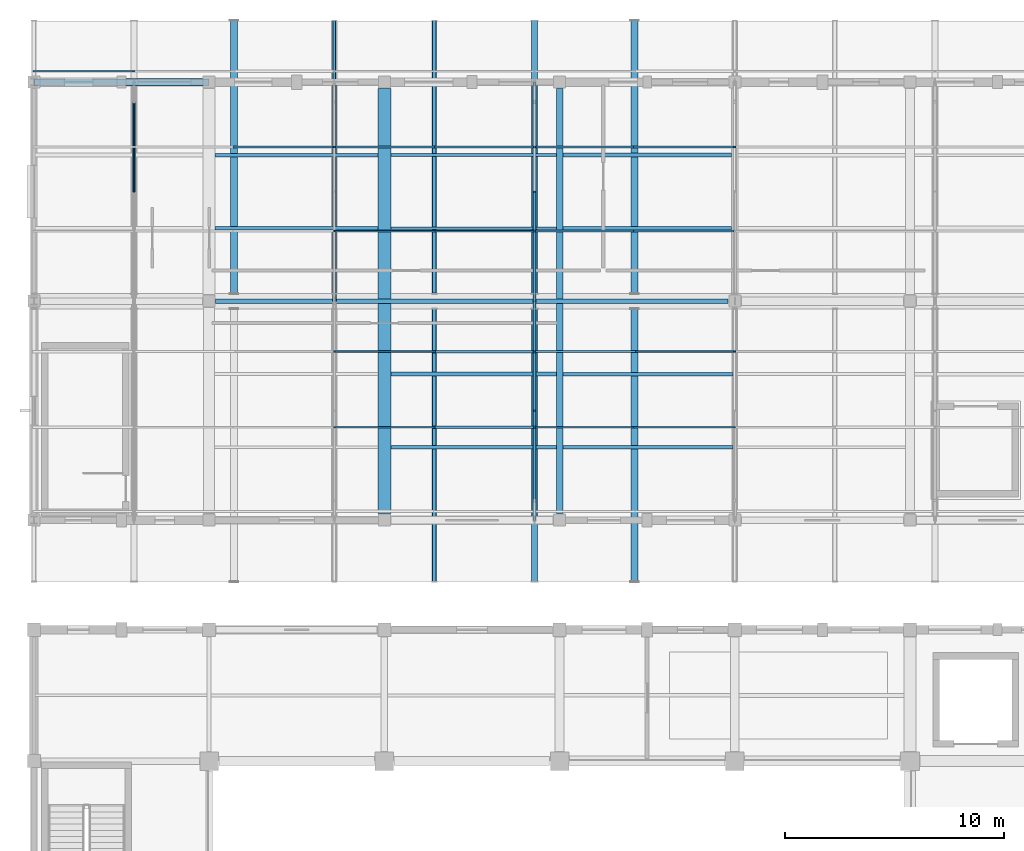
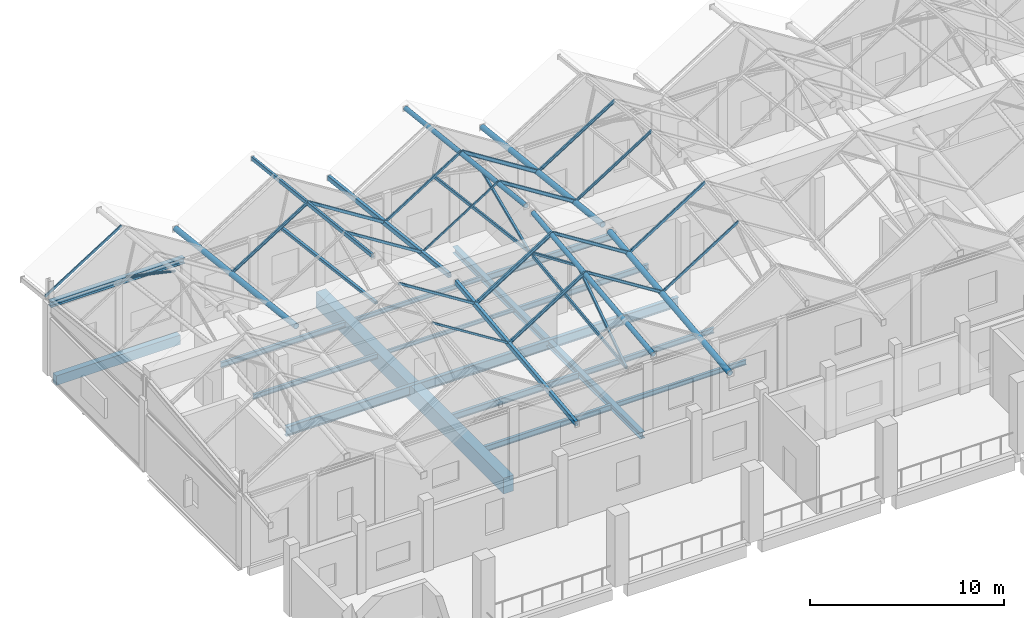
# One storey, part 64 of 183: 25 members, 23 beams.
"""IFC4 building model written with IfcOpenShell, lengths in metres."""

from ifc_helpers import new_model, si_unit, direction, frame, origin, origin_2d, place, context, subcontext, project, spatial, rectangle, hollow_rectangle, hollow_circle, i_section, extrude, material, material_profile, profile_set, type_object, element, save


model = new_model("IFC4")

# Units and contexts
model_context = context("Model", 3, precision=1e-05, world=origin(), true_north=direction((0.0, 1.0)))
body_context = subcontext(model_context, "Body", "Model", "MODEL_VIEW")
ifc_project = project(units=[si_unit("LENGTHUNIT", "METRE"), si_unit("AREAUNIT", "SQUARE_METRE"), si_unit("VOLUMEUNIT", "CUBIC_METRE"), si_unit("PLANEANGLEUNIT", "RADIAN"), si_unit("MASSUNIT", "GRAM", prefix="KILO")], contexts=[model_context])

# Site, building, storey
site_placement = place(None, origin())
site = spatial("IfcSite", under=ifc_project, at=site_placement, CompositionType="ELEMENT")
building_placement = place(site_placement, origin())
building = spatial("IfcBuilding", under=site, at=building_placement, Name="Luwemba Playhouse", CompositionType="ELEMENT")
storey_placement = place(building_placement, frame((0.0, 0.0, 4.800048828125)))
storey = spatial("IfcBuildingStorey", under=building, at=storey_placement, Name="L01", CompositionType="ELEMENT", Elevation=4.800048828125)

# Beams
ifc_material_1 = material(Name="Concrete C40/50", Category="concrete")
ifc_material_profile_1 = material_profile(ifc_material_1, rectangle(XDim=0.60009765625, YDim=1.0, at=origin_2d()))
ifc_profile_set_1 = profile_set([ifc_material_profile_1], Name="Concrete C40/50")
beam_type_1 = type_object("IfcBeamType", Name="BM-RB09", PredefinedType="BEAM", material=ifc_profile_set_1)
beam_1_placement = place(storey_placement, frame((20.0, 95.300048828125, -0.75), z_axis=(0.0, 1.0, 0.0), x_axis=(-1.0, 0.0, 0.0)))
element("IfcBeam", 1, at=beam_1_placement, inside=storey, type_object=beam_type_1, Name="L01 transverse girder 0590", PredefinedType="BEAM", context=body_context, shape_type="SweptSolid", body=[
    extrude(rectangle(XDim=0.60009765625, YDim=1.0, at=origin_2d()), origin(), (0.0, 0.0, 1.0), 19.39990234375),
])
ifc_material_2 = material(Name="Steel S355", Category="steel")
ifc_material_profile_2 = material_profile(ifc_material_2, hollow_rectangle(XDim=0.14990234375, YDim=0.25, WallThickness=0.010009765625, InnerFilletRadius=0.014892578125, OuterFilletRadius=0.02490234375, at=origin_2d()))
ifc_profile_set_2 = profile_set([ifc_material_profile_2], Name="Steel S355")
beam_type_2 = type_object("IfcBeamType", Name="BM-RTG1", PredefinedType="USERDEFINED", material=ifc_profile_set_2)
beam_2_placement = place(storey_placement, frame((17.71435546875, 105.35009765625, 8.379638671875), z_axis=(0.0, 0.993767931543, -0.111468821814), x_axis=(-1.0, 0.0, 0.0)))
element("IfcBeam", 2, at=beam_2_placement, inside=storey, type_object=beam_type_2, Name="ROOF TRUSS ridge girder 0372", ObjectType="ROOF TRUSS", PredefinedType="USERDEFINED", context=body_context, shape_type="SweptSolid", body=[
    extrude(hollow_rectangle(XDim=0.14990234375, YDim=0.25, WallThickness=0.010009765625, InnerFilletRadius=0.014892578125, OuterFilletRadius=0.02490234375, at=origin_2d()), origin(), (0.0, 0.0, 1.0), 12.528076171875),
])
ifc_material_profile_3 = material_profile(ifc_material_2, hollow_rectangle(XDim=0.199951171875, YDim=0.300048828125, WallThickness=0.012451171875, InnerFilletRadius=0.018798828125, OuterFilletRadius=0.03125, at=origin_2d()))
ifc_profile_set_3 = profile_set([ifc_material_profile_3], Name="Steel S355")
beam_type_3 = type_object("IfcBeamType", Name="BM-RTG2", PredefinedType="USERDEFINED", material=ifc_profile_set_3)
for number, where, z_axis, x_axis, name in (
    (3, (22.28564453125, 92.199951171875, 4.162109375), (0.0, 0.993767931543, 0.111468821814), (-1.0, 0.0, 0.0), "ROOF TRUSS valley girder 0373"),
    (4, (22.28564453125, 105.35009765625, 5.55859375), (0.0, 0.993767931543, -0.111468821814), (-1.0, 0.0, 0.0), "ROOF TRUSS valley girder 0374"),
):
    element("IfcBeam", number, at=place(storey_placement, frame(where, z_axis=z_axis, x_axis=x_axis)), inside=storey, type_object=beam_type_3, Name=name, ObjectType="ROOF TRUSS", PredefinedType="USERDEFINED", context=body_context, shape_type="SweptSolid", body=[
        extrude(hollow_rectangle(XDim=0.199951171875, YDim=0.300048828125, WallThickness=0.012451171875, InnerFilletRadius=0.018798828125, OuterFilletRadius=0.03125, at=origin_2d()), origin(), (0.0, 0.0, 1.0), 12.528076171875),
    ])
ifc_material_profile_4 = material_profile(ifc_material_2, hollow_circle(Radius=0.136474609375, WallThickness=0.012451171875, at=origin_2d()))
ifc_profile_set_4 = profile_set([ifc_material_profile_4], Name="Steel S355")
beam_type_4 = type_object("IfcBeamType", Name="BM-RTG3", PredefinedType="USERDEFINED", material=ifc_profile_set_4)
for number, where, z_axis, x_axis, name in (
    (5, (26.857177734375, 92.199951171875, 6.932861328125), (0.0, 0.993767931543, 0.111468821814), (-1.0, 0.0, 0.0), "ROOF TRUSS ridge girder 0375"),
    (6, (26.857177734375, 105.35009765625, 8.329345703125), (0.0, 0.993767931543, -0.111468821814), (-1.0, 0.0, 0.0), "ROOF TRUSS ridge girder 0376"),
):
    element("IfcBeam", number, at=place(storey_placement, frame(where, z_axis=z_axis, x_axis=x_axis)), inside=storey, type_object=beam_type_4, Name=name, ObjectType="ROOF TRUSS", PredefinedType="USERDEFINED", context=body_context, shape_type="SweptSolid", body=[
        extrude(hollow_circle(Radius=0.136474609375, WallThickness=0.012451171875, at=origin_2d()), origin(), (0.0, 0.0, 1.0), 12.528076171875),
    ])
ifc_material_profile_5 = material_profile(ifc_material_2, hollow_circle(Radius=0.161865234375, WallThickness=0.01611328125, at=origin_2d()))
ifc_profile_set_5 = profile_set([ifc_material_profile_5], Name="Steel S355")
beam_type_5 = type_object("IfcBeamType", Name="BM-RTG4", PredefinedType="USERDEFINED", material=ifc_profile_set_5)
for number, where, z_axis, x_axis, name in (
    (7, (13.142822265625, 105.35009765625, 5.546875), (0.0, 0.993767931543, -0.111468821814), (-1.0, 0.0, 0.0), "ROOF TRUSS valley girder 0370"),
    (8, (31.4287109375, 92.199951171875, 4.150146484375), (0.0, 0.993765772644, 0.111488067169), (-1.0, 0.0, 0.0), "ROOF TRUSS valley girder 0377"),
    (9, (31.4287109375, 105.35009765625, 5.546875), (0.0, 0.993765772644, -0.111488067169), (-1.0, 0.0, 0.0), "ROOF TRUSS valley girder 0378"),
):
    element("IfcBeam", number, at=place(storey_placement, frame(where, z_axis=z_axis, x_axis=x_axis)), inside=storey, type_object=beam_type_5, Name=name, ObjectType="ROOF TRUSS", PredefinedType="USERDEFINED", context=body_context, shape_type="SweptSolid", body=[
        extrude(hollow_circle(Radius=0.161865234375, WallThickness=0.01611328125, at=origin_2d()), origin(), (0.0, 0.0, 1.0), 12.528076171875),
    ])
ifc_material_profile_6 = material_profile(ifc_material_2, i_section(OverallWidth=0.219970703125, OverallDepth=0.60009765625, WebThickness=0.011962890625, FlangeThickness=0.01904296875, FilletRadius=0.02392578125, at=origin_2d()))
ifc_profile_set_6 = profile_set([ifc_material_profile_6], Name="Steel S355")
beam_type_6 = type_object("IfcBeamType", Name="BM-SB08", PredefinedType="BEAM", material=ifc_profile_set_6)
beam_3_placement = place(storey_placement, frame((12.300048828125, 105.0, -0.550048828125), z_axis=(1.0, 0.0, 0.0), x_axis=(0.0, 1.0, 0.0)))
element("IfcBeam", 10, at=beam_3_placement, inside=storey, type_object=beam_type_6, Name="L01 grid girder 0573", PredefinedType="BEAM", context=body_context, shape_type="SweptSolid", body=[
    extrude(i_section(OverallWidth=0.219970703125, OverallDepth=0.60009765625, WebThickness=0.011962890625, FlangeThickness=0.01904296875, FilletRadius=0.02392578125, at=origin_2d()), origin(), (0.0, 0.0, 1.0), 23.39990234375),
])
ifc_material_profile_7 = material_profile(ifc_material_2, i_section(OverallWidth=0.300048828125, OverallDepth=0.360107421875, WebThickness=0.012451171875, FlangeThickness=0.0224609375, FilletRadius=0.027099609375, at=origin_2d()))
ifc_profile_set_7 = profile_set([ifc_material_profile_7], Name="Steel S355")
beam_type_7 = type_object("IfcBeamType", Name="BM-SB09", PredefinedType="BEAM", material=ifc_profile_set_7)
beam_4_placement = place(storey_placement, frame((4.0, 115.0, 4.320068359375), z_axis=(1.0, 0.0, 0.0), x_axis=(0.0, 1.0, 0.0)))
element("IfcBeam", 11, at=beam_4_placement, inside=storey, type_object=beam_type_7, Name="RF-V6W eave ring beam 0350", PredefinedType="BEAM", context=body_context, shape_type="SweptSolid", body=[
    extrude(i_section(OverallWidth=0.300048828125, OverallDepth=0.360107421875, WebThickness=0.012451171875, FlangeThickness=0.0224609375, FilletRadius=0.027099609375, at=origin_2d()), origin(), (0.0, 0.0, 1.0), 8.0),
])
ifc_material_profile_8 = material_profile(ifc_material_2, i_section(OverallWidth=0.300048828125, OverallDepth=0.39990234375, WebThickness=0.013427734375, FlangeThickness=0.02392578125, FilletRadius=0.027099609375, at=origin_2d()))
ifc_profile_set_8 = profile_set([ifc_material_profile_8], Name="Steel S355")
beam_type_8 = type_object("IfcBeamType", Name="BM-SB10", PredefinedType="BEAM", material=ifc_profile_set_8)
beam_5_placement = place(storey_placement, frame((28.0, 95.300048828125, -0.449951171875), z_axis=(0.0, 1.0, 0.0), x_axis=(-1.0, 0.0, 0.0)))
element("IfcBeam", 12, at=beam_5_placement, inside=storey, type_object=beam_type_8, Name="L01 transverse girder 0591", PredefinedType="BEAM", context=body_context, shape_type="SweptSolid", body=[
    extrude(i_section(OverallWidth=0.300048828125, OverallDepth=0.39990234375, WebThickness=0.013427734375, FlangeThickness=0.02392578125, FilletRadius=0.027099609375, at=origin_2d()), origin(), (0.0, 0.0, 1.0), 19.39990234375),
])
ifc_material_profile_9 = material_profile(ifc_material_2, i_section(OverallWidth=0.1201171875, OverallDepth=0.239990234375, WebThickness=0.006103515625, FlangeThickness=0.009765625, FilletRadius=0.014892578125, at=origin_2d()))
ifc_profile_set_9 = profile_set([ifc_material_profile_9], Name="Steel S355")
beam_type_9 = type_object("IfcBeamType", Name="BM-SJ03", PredefinedType="JOIST", material=ifc_profile_set_9)
beam_6_placement = place(storey_placement, frame((20.2958984375, 108.333251953125, -0.3701171875), z_axis=(1.0, 0.0, 0.0), x_axis=(0.0, 1.0, 0.0)))
element("IfcBeam", 13, at=beam_6_placement, inside=storey, type_object=beam_type_9, Name="L01 composite floor joist 0346", PredefinedType="JOIST", context=body_context, shape_type="SweptSolid", body=[
    extrude(i_section(OverallWidth=0.1201171875, OverallDepth=0.239990234375, WebThickness=0.006103515625, FlangeThickness=0.009765625, FilletRadius=0.014892578125, at=origin_2d()), origin(), (0.0, 0.0, 1.0), 7.55810546875),
])
ifc_material_profile_10 = material_profile(ifc_material_2, i_section(OverallWidth=0.135009765625, OverallDepth=0.27001953125, WebThickness=0.006591796875, FlangeThickness=0.01025390625, FilletRadius=0.014892578125, at=origin_2d()))
ifc_profile_set_10 = profile_set([ifc_material_profile_10], Name="Steel S355")
beam_type_10 = type_object("IfcBeamType", Name="BM-SJ04", PredefinedType="JOIST", material=ifc_profile_set_10)
beam_7_placement = place(storey_placement, frame((20.2958984375, 111.666748046875, -0.385009765625), z_axis=(1.0, 0.0, 0.0), x_axis=(0.0, 1.0, 0.0)))
element("IfcBeam", 14, at=beam_7_placement, inside=storey, type_object=beam_type_10, Name="L01 composite floor joist 0347", PredefinedType="JOIST", context=body_context, shape_type="SweptSolid", body=[
    extrude(i_section(OverallWidth=0.135009765625, OverallDepth=0.27001953125, WebThickness=0.006591796875, FlangeThickness=0.01025390625, FilletRadius=0.014892578125, at=origin_2d()), origin(), (0.0, 0.0, 1.0), 7.55810546875),
])
ifc_material_profile_11 = material_profile(ifc_material_2, i_section(OverallWidth=0.14990234375, OverallDepth=0.300048828125, WebThickness=0.007080078125, FlangeThickness=0.0107421875, FilletRadius=0.014892578125, at=origin_2d()))
ifc_profile_set_11 = profile_set([ifc_material_profile_11], Name="Steel S355")
beam_type_11 = type_object("IfcBeamType", Name="BM-SJ05", PredefinedType="JOIST", material=ifc_profile_set_11)
beam_8_placement = place(storey_placement, frame((12.27099609375, 108.333251953125, -0.400146484375), z_axis=(1.0, 0.0, 0.0), x_axis=(0.0, 1.0, 0.0)))
element("IfcBeam", 15, at=beam_8_placement, inside=storey, type_object=beam_type_11, Name="L01 composite floor joist 0342", PredefinedType="JOIST", context=body_context, shape_type="SweptSolid", body=[
    extrude(i_section(OverallWidth=0.14990234375, OverallDepth=0.300048828125, WebThickness=0.007080078125, FlangeThickness=0.0107421875, FilletRadius=0.014892578125, at=origin_2d()), origin(), (0.0, 0.0, 1.0), 7.43310546875),
])
beam_9_placement = place(storey_placement, frame((28.14599609375, 98.333251953125, -0.400146484375), z_axis=(1.0, 0.0, 0.0), x_axis=(0.0, 1.0, 0.0)))
element("IfcBeam", 16, at=beam_9_placement, inside=storey, type_object=beam_type_11, Name="L01 composite floor joist 0348", PredefinedType="JOIST", context=body_context, shape_type="SweptSolid", body=[
    extrude(i_section(OverallWidth=0.14990234375, OverallDepth=0.300048828125, WebThickness=0.007080078125, FlangeThickness=0.0107421875, FilletRadius=0.014892578125, at=origin_2d()), origin(), (0.0, 0.0, 1.0), 7.762939453125),
])
ifc_material_profile_12 = material_profile(ifc_material_2, i_section(OverallWidth=0.159912109375, OverallDepth=0.330078125, WebThickness=0.007568359375, FlangeThickness=0.011474609375, FilletRadius=0.01806640625, at=origin_2d()))
ifc_profile_set_12 = profile_set([ifc_material_profile_12], Name="Steel S355")
beam_type_12 = type_object("IfcBeamType", Name="BM-SJ06", PredefinedType="JOIST", material=ifc_profile_set_12)
beam_10_placement = place(storey_placement, frame((12.27099609375, 111.666748046875, -0.4150390625), z_axis=(1.0, 0.0, 0.0), x_axis=(0.0, 1.0, 0.0)))
element("IfcBeam", 17, at=beam_10_placement, inside=storey, type_object=beam_type_12, Name="L01 composite floor joist 0343", PredefinedType="JOIST", context=body_context, shape_type="SweptSolid", body=[
    extrude(i_section(OverallWidth=0.159912109375, OverallDepth=0.330078125, WebThickness=0.007568359375, FlangeThickness=0.011474609375, FilletRadius=0.01806640625, at=origin_2d()), origin(), (0.0, 0.0, 1.0), 7.43310546875),
])
beam_11_placement = place(storey_placement, frame((28.14599609375, 101.666748046875, -0.4150390625), z_axis=(1.0, 0.0, 0.0), x_axis=(0.0, 1.0, 0.0)))
element("IfcBeam", 18, at=beam_11_placement, inside=storey, type_object=beam_type_12, Name="L01 composite floor joist 0349", PredefinedType="JOIST", context=body_context, shape_type="SweptSolid", body=[
    extrude(i_section(OverallWidth=0.159912109375, OverallDepth=0.330078125, WebThickness=0.007568359375, FlangeThickness=0.011474609375, FilletRadius=0.01806640625, at=origin_2d()), origin(), (0.0, 0.0, 1.0), 7.762939453125),
])
ifc_material_profile_13 = material_profile(ifc_material_2, i_section(OverallWidth=0.169921875, OverallDepth=0.360107421875, WebThickness=0.008056640625, FlangeThickness=0.0126953125, FilletRadius=0.01806640625, at=origin_2d()))
ifc_profile_set_13 = profile_set([ifc_material_profile_13], Name="Steel S355")
beam_type_13 = type_object("IfcBeamType", Name="BM-SJ07", PredefinedType="JOIST", material=ifc_profile_set_13)
beam_12_placement = place(storey_placement, frame((20.2958984375, 98.333251953125, -0.429931640625), z_axis=(1.0, 0.0, 0.0), x_axis=(0.0, 1.0, 0.0)))
element("IfcBeam", 19, at=beam_12_placement, inside=storey, type_object=beam_type_13, Name="L01 composite floor joist 0344", PredefinedType="JOIST", context=body_context, shape_type="SweptSolid", body=[
    extrude(i_section(OverallWidth=0.169921875, OverallDepth=0.360107421875, WebThickness=0.008056640625, FlangeThickness=0.0126953125, FilletRadius=0.01806640625, at=origin_2d()), origin(), (0.0, 0.0, 1.0), 7.55810546875),
])
beam_13_placement = place(storey_placement, frame((28.14599609375, 108.333251953125, -0.429931640625), z_axis=(1.0, 0.0, 0.0), x_axis=(0.0, 1.0, 0.0)))
element("IfcBeam", 20, at=beam_13_placement, inside=storey, type_object=beam_type_13, Name="L01 composite floor joist 0350", PredefinedType="JOIST", context=body_context, shape_type="SweptSolid", body=[
    extrude(i_section(OverallWidth=0.169921875, OverallDepth=0.360107421875, WebThickness=0.008056640625, FlangeThickness=0.0126953125, FilletRadius=0.01806640625, at=origin_2d()), origin(), (0.0, 0.0, 1.0), 7.7080078125),
])
ifc_material_profile_14 = material_profile(ifc_material_2, i_section(OverallWidth=0.179931640625, OverallDepth=0.39990234375, WebThickness=0.008544921875, FlangeThickness=0.013427734375, FilletRadius=0.02099609375, at=origin_2d()))
ifc_profile_set_14 = profile_set([ifc_material_profile_14], Name="Steel S355")
beam_type_14 = type_object("IfcBeamType", Name="BM-SJ08", PredefinedType="JOIST", material=ifc_profile_set_14)
beam_14_placement = place(storey_placement, frame((20.2958984375, 101.666748046875, -0.449951171875), z_axis=(1.0, 0.0, 0.0), x_axis=(0.0, 1.0, 0.0)))
element("IfcBeam", 21, at=beam_14_placement, inside=storey, type_object=beam_type_14, Name="L01 composite floor joist 0345", PredefinedType="JOIST", context=body_context, shape_type="SweptSolid", body=[
    extrude(i_section(OverallWidth=0.179931640625, OverallDepth=0.39990234375, WebThickness=0.008544921875, FlangeThickness=0.013427734375, FilletRadius=0.02099609375, at=origin_2d()), origin(), (0.0, 0.0, 1.0), 7.55810546875),
])
beam_15_placement = place(storey_placement, frame((28.14599609375, 111.666748046875, -0.449951171875), z_axis=(1.0, 0.0, 0.0), x_axis=(0.0, 1.0, 0.0)))
element("IfcBeam", 22, at=beam_15_placement, inside=storey, type_object=beam_type_14, Name="L01 composite floor joist 0351", PredefinedType="JOIST", context=body_context, shape_type="SweptSolid", body=[
    extrude(i_section(OverallWidth=0.179931640625, OverallDepth=0.39990234375, WebThickness=0.008544921875, FlangeThickness=0.013427734375, FilletRadius=0.02099609375, at=origin_2d()), origin(), (0.0, 0.0, 1.0), 7.7080078125),
])
ifc_material_profile_15 = material_profile(ifc_material_1, rectangle(XDim=0.35009765625, YDim=0.60009765625, at=origin_2d()))
ifc_profile_set_15 = profile_set([ifc_material_profile_15], Name="Concrete C40/50")
beam_type_15 = type_object("IfcBeamType", Name="BM-SP3", PredefinedType="SPANDREL", material=ifc_profile_set_15)
beam_16_placement = place(storey_placement, frame((4.300048828125, 115.0, -0.550048828125), z_axis=(1.0, 0.0, 0.0), x_axis=(0.0, 1.0, 0.0)))
element("IfcBeam", 23, at=beam_16_placement, inside=storey, type_object=beam_type_15, Name="L01 grid girder 0578", PredefinedType="SPANDREL", context=body_context, shape_type="SweptSolid", body=[
    extrude(rectangle(XDim=0.35009765625, YDim=0.60009765625, at=origin_2d()), origin(), (0.0, 0.0, 1.0), 7.39990234375),
])

# Members
ifc_material_profile_16 = material_profile(ifc_material_2, hollow_circle(Radius=0.06982421875, WallThickness=0.008056640625, at=origin_2d()))
ifc_profile_set_16 = profile_set([ifc_material_profile_16], Name="Steel S355")
member_type_1 = type_object("IfcMemberType", Name="MEM-MB01", PredefinedType="BRACE", material=ifc_profile_set_16)
member_1_placement = place(storey_placement, frame((8.5712890625, 115.0, 4.39990234375), z_axis=(0.0, -0.826314401339, 0.563209117593), x_axis=(1.0, 0.0, 0.0)))
element("IfcMember", 24, at=member_1_placement, inside=storey, type_object=member_type_1, Name="ROOF TRUSS web diagonal 0312", PredefinedType="BRACE", context=body_context, shape_type="SweptSolid", body=[
    extrude(hollow_circle(Radius=0.06982421875, WallThickness=0.008056640625, at=origin_2d()), origin(), (0.0, 0.0, 1.0), 6.051025390625),
])
ifc_material_profile_17 = material_profile(ifc_material_2, hollow_rectangle(XDim=0.139892578125, YDim=0.139892578125, WallThickness=0.008056640625, InnerFilletRadius=0.011962890625, OuterFilletRadius=0.02001953125, at=origin_2d()))
ifc_profile_set_17 = profile_set([ifc_material_profile_17], Name="Steel S355")
member_type_2 = type_object("IfcMemberType", Name="MEM-MB07", PredefinedType="BRACE", material=ifc_profile_set_17)
member_2_placement = place(storey_placement, frame((26.857177734375, 95.0, 4.39990234375), z_axis=(0.0, 0.826314401339, 0.563209117593), x_axis=(-1.0, 0.0, 0.0)))
element("IfcMember", 25, at=member_2_placement, inside=storey, type_object=member_type_2, Name="ROOF TRUSS web diagonal 0321", PredefinedType="BRACE", context=body_context, shape_type="SweptSolid", body=[
    extrude(hollow_rectangle(XDim=0.139892578125, YDim=0.139892578125, WallThickness=0.008056640625, InnerFilletRadius=0.011962890625, OuterFilletRadius=0.02001953125, at=origin_2d()), origin(), (0.0, 0.0, 1.0), 6.051025390625),
])
for number, where, z_axis, x_axis, name in (
    (26, (26.857177734375, 105.0, 5.6416015625), (0.0, -0.917582865909, 0.397544568809), (1.0, 0.0, 0.0), "ROOF TRUSS web diagonal 0322"),
    (27, (26.857177734375, 105.0, 5.6416015625), (0.0, 0.917582865909, 0.397544568809), (-1.0, 0.0, 0.0), "ROOF TRUSS web diagonal 0323"),
):
    element("IfcMember", number, at=place(storey_placement, frame(where, z_axis=z_axis, x_axis=x_axis)), inside=storey, type_object=member_type_2, Name=name, PredefinedType="BRACE", context=body_context, shape_type="SweptSolid", body=[
        extrude(hollow_rectangle(XDim=0.139892578125, YDim=0.139892578125, WallThickness=0.008056640625, InnerFilletRadius=0.011962890625, OuterFilletRadius=0.02001953125, at=origin_2d()), origin(), (0.0, 0.0, 1.0), 5.44921875),
    ])
ifc_material_profile_18 = material_profile(ifc_material_2, hollow_rectangle(XDim=0.179931640625, YDim=0.179931640625, WallThickness=0.010009765625, InnerFilletRadius=0.014892578125, OuterFilletRadius=0.02490234375, at=origin_2d()))
ifc_profile_set_18 = profile_set([ifc_material_profile_18], Name="Steel S355")
member_type_3 = type_object("IfcMemberType", Name="MEM-MC03", PredefinedType="CHORD", material=ifc_profile_set_18)
member_3_placement = place(storey_placement, frame((17.71435546875, 105.0, 5.6416015625), z_axis=(0.0, 0.992378930096, -0.12322361422), x_axis=(-1.0, 0.0, 0.0)))
element("IfcMember", 28, at=member_3_placement, inside=storey, type_object=member_type_3, Name="ROOF TRUSS north bottom chord 0314", PredefinedType="CHORD", context=body_context, shape_type="SweptSolid", body=[
    extrude(hollow_rectangle(XDim=0.179931640625, YDim=0.179931640625, WallThickness=0.010009765625, InnerFilletRadius=0.014892578125, OuterFilletRadius=0.02490234375, at=origin_2d()), origin(), (0.0, 0.0, 1.0), 10.076904296875),
])
ifc_material_profile_19 = material_profile(ifc_material_2, hollow_rectangle(XDim=0.1201171875, YDim=0.199951171875, WallThickness=0.010009765625, InnerFilletRadius=0.014892578125, OuterFilletRadius=0.02490234375, at=origin_2d()))
ifc_profile_set_19 = profile_set([ifc_material_profile_19], Name="Steel S355")
member_type_4 = type_object("IfcMemberType", Name="MEM-MC05", PredefinedType="CHORD", material=ifc_profile_set_19)
for number, where, z_axis, x_axis, name in (
    (29, (26.857177734375, 95.0, 4.39990234375), (0.0, 0.992378930096, 0.12322361422), (-1.0, 0.0, 0.0), "ROOF TRUSS south bottom chord 0319"),
    (30, (26.857177734375, 105.0, 5.6416015625), (0.0, 0.992378930096, -0.12322361422), (-1.0, 0.0, 0.0), "ROOF TRUSS north bottom chord 0320"),
):
    element("IfcMember", number, at=place(storey_placement, frame(where, z_axis=z_axis, x_axis=x_axis)), inside=storey, type_object=member_type_4, Name=name, PredefinedType="CHORD", context=body_context, shape_type="SweptSolid", body=[
        extrude(hollow_rectangle(XDim=0.1201171875, YDim=0.199951171875, WallThickness=0.010009765625, InnerFilletRadius=0.014892578125, OuterFilletRadius=0.02490234375, at=origin_2d()), origin(), (0.0, 0.0, 1.0), 10.076904296875),
    ])
ifc_material_profile_20 = material_profile(ifc_material_2, hollow_rectangle(XDim=0.080078125, YDim=0.1201171875, WallThickness=0.00634765625, InnerFilletRadius=0.009521484375, OuterFilletRadius=0.015869140625, at=origin_2d()))
ifc_profile_set_20 = profile_set([ifc_material_profile_20], Name="Steel S355")
member_type_5 = type_object("IfcMemberType", Name="MEM-MP01", PredefinedType="PURLIN", material=ifc_profile_set_20)
member_4_placement = place(storey_placement, frame((17.71435546875, 99.239990234375, 7.873779296875), z_axis=(0.846236613742, 0.0, -0.532807276191), x_axis=(0.0, 1.0, 0.0)))
element("IfcMember", 31, at=member_4_placement, inside=storey, type_object=member_type_5, Name="Pleated roof purlin 0632", PredefinedType="PURLIN", context=body_context, shape_type="SweptSolid", body=[
    extrude(hollow_rectangle(XDim=0.080078125, YDim=0.1201171875, WallThickness=0.00634765625, InnerFilletRadius=0.009521484375, OuterFilletRadius=0.015869140625, at=origin_2d()), origin(), (0.0, 0.0, 1.0), 5.40185546875),
])
member_5_placement = place(storey_placement, frame((22.28564453125, 108.199951171875, 5.28271484375), z_axis=(0.846249443207, 0.0, 0.532786899117), x_axis=(0.0, 1.0, 0.0)))
element("IfcMember", 32, at=member_5_placement, inside=storey, type_object=member_type_5, Name="Pleated roof purlin 0640", PredefinedType="PURLIN", context=body_context, shape_type="SweptSolid", body=[
    extrude(hollow_rectangle(XDim=0.080078125, YDim=0.1201171875, WallThickness=0.00634765625, InnerFilletRadius=0.009521484375, OuterFilletRadius=0.015869140625, at=origin_2d()), origin(), (0.0, 0.0, 1.0), 5.402099609375),
])
ifc_material_profile_21 = material_profile(ifc_material_2, hollow_rectangle(XDim=0.10009765625, YDim=0.14990234375, WallThickness=0.008056640625, InnerFilletRadius=0.011962890625, OuterFilletRadius=0.02001953125, at=origin_2d()))
ifc_profile_set_21 = profile_set([ifc_material_profile_21], Name="Steel S355")
member_type_6 = type_object("IfcMemberType", Name="MEM-MP02", PredefinedType="PURLIN", material=ifc_profile_set_21)
member_6_placement = place(storey_placement, frame((17.71435546875, 102.696044921875, 8.261474609375), z_axis=(0.846236613742, 0.0, -0.532807276191), x_axis=(0.0, 1.0, 0.0)))
element("IfcMember", 33, at=member_6_placement, inside=storey, type_object=member_type_6, Name="Pleated roof purlin 0633", PredefinedType="PURLIN", context=body_context, shape_type="SweptSolid", body=[
    extrude(hollow_rectangle(XDim=0.10009765625, YDim=0.14990234375, WallThickness=0.008056640625, InnerFilletRadius=0.011962890625, OuterFilletRadius=0.02001953125, at=origin_2d()), origin(), (0.0, 0.0, 1.0), 5.40185546875),
])
member_7_placement = place(storey_placement, frame((22.28564453125, 112.0400390625, 4.85205078125), z_axis=(0.846249443207, 0.0, 0.532786899117), x_axis=(0.0, 1.0, 0.0)))
element("IfcMember", 34, at=member_7_placement, inside=storey, type_object=member_type_6, Name="Pleated roof purlin 0641", PredefinedType="PURLIN", context=body_context, shape_type="SweptSolid", body=[
    extrude(hollow_rectangle(XDim=0.10009765625, YDim=0.14990234375, WallThickness=0.008056640625, InnerFilletRadius=0.011962890625, OuterFilletRadius=0.02001953125, at=origin_2d()), origin(), (0.0, 0.0, 1.0), 5.402099609375),
])
ifc_material_profile_22 = material_profile(ifc_material_2, hollow_rectangle(XDim=0.080078125, YDim=0.159912109375, WallThickness=0.00634765625, InnerFilletRadius=0.009521484375, OuterFilletRadius=0.015869140625, at=origin_2d()))
ifc_profile_set_22 = profile_set([ifc_material_profile_22], Name="Steel S355")
member_type_7 = type_object("IfcMemberType", Name="MEM-MP03", PredefinedType="PURLIN", material=ifc_profile_set_22)
member_8_placement = place(storey_placement, frame((4.0, 115.49609375, 4.46435546875), z_axis=(0.846236613742, 0.0, 0.532807276191), x_axis=(0.0, 1.0, 0.0)))
element("IfcMember", 35, at=member_8_placement, inside=storey, type_object=member_type_7, Name="Pleated roof purlin 0618", PredefinedType="PURLIN", context=body_context, shape_type="SweptSolid", body=[
    extrude(hollow_rectangle(XDim=0.080078125, YDim=0.159912109375, WallThickness=0.00634765625, InnerFilletRadius=0.009521484375, OuterFilletRadius=0.015869140625, at=origin_2d()), origin(), (0.0, 0.0, 1.0), 5.40185546875),
])
member_9_placement = place(storey_placement, frame((17.71435546875, 108.199951171875, 8.1611328125), z_axis=(0.846216235915, 0.0, -0.532839640111), x_axis=(0.0, 1.0, 0.0)))
element("IfcMember", 36, at=member_9_placement, inside=storey, type_object=member_type_7, Name="Pleated roof purlin 0634", PredefinedType="PURLIN", context=body_context, shape_type="SweptSolid", body=[
    extrude(hollow_rectangle(XDim=0.080078125, YDim=0.159912109375, WallThickness=0.00634765625, InnerFilletRadius=0.009521484375, OuterFilletRadius=0.015869140625, at=origin_2d()), origin(), (0.0, 0.0, 1.0), 5.402099609375),
])
member_10_placement = place(storey_placement, frame((31.4287109375, 99.239990234375, 4.99560546875), z_axis=(0.846236613742, 0.0, 0.532807276191), x_axis=(0.0, 1.0, 0.0)))
element("IfcMember", 37, at=member_10_placement, inside=storey, type_object=member_type_7, Name="Pleated roof purlin 0650", PredefinedType="PURLIN", context=body_context, shape_type="SweptSolid", body=[
    extrude(hollow_rectangle(XDim=0.080078125, YDim=0.159912109375, WallThickness=0.00634765625, InnerFilletRadius=0.009521484375, OuterFilletRadius=0.015869140625, at=origin_2d()), origin(), (0.0, 0.0, 1.0), 5.40185546875),
])
ifc_material_profile_23 = material_profile(ifc_material_2, hollow_rectangle(XDim=0.10009765625, YDim=0.179931640625, WallThickness=0.008056640625, InnerFilletRadius=0.011962890625, OuterFilletRadius=0.02001953125, at=origin_2d()))
ifc_profile_set_23 = profile_set([ifc_material_profile_23], Name="Steel S355")
member_type_8 = type_object("IfcMemberType", Name="MEM-MP04", PredefinedType="PURLIN", material=ifc_profile_set_23)
for number, where, z_axis, x_axis, name in (
    (38, (17.71435546875, 112.0400390625, 7.72021484375), (0.846216235915, 0.0, -0.532839640111), (0.0, 1.0, 0.0), "Pleated roof purlin 0635"),
    (39, (31.4287109375, 102.696044921875, 5.373046875), (0.846216235915, 0.0, 0.532839640111), (0.0, 1.0, 0.0), "Pleated roof purlin 0651"),
):
    element("IfcMember", number, at=place(storey_placement, frame(where, z_axis=z_axis, x_axis=x_axis)), inside=storey, type_object=member_type_8, Name=name, PredefinedType="PURLIN", context=body_context, shape_type="SweptSolid", body=[
        extrude(hollow_rectangle(XDim=0.10009765625, YDim=0.179931640625, WallThickness=0.008056640625, InnerFilletRadius=0.011962890625, OuterFilletRadius=0.02001953125, at=origin_2d()), origin(), (0.0, 0.0, 1.0), 5.402099609375),
    ])
ifc_material_profile_24 = material_profile(ifc_material_2, i_section(OverallWidth=0.08203125, OverallDepth=0.159912109375, WebThickness=0.0048828125, FlangeThickness=0.00732421875, FilletRadius=0.009033203125, at=origin_2d()))
ifc_profile_set_24 = profile_set([ifc_material_profile_24], Name="Steel S355")
member_type_9 = type_object("IfcMemberType", Name="MEM-MP05", PredefinedType="PURLIN", material=ifc_profile_set_24)
for number, where, z_axis, x_axis, name in (
    (40, (26.857177734375, 99.239990234375, 7.873779296875), (0.846249443207, 0.0, -0.532786899117), (0.0, 1.0, 0.0), "Pleated roof purlin 0644"),
    (41, (31.4287109375, 108.199951171875, 5.28271484375), (0.846216235915, 0.0, 0.532839640111), (0.0, 1.0, 0.0), "Pleated roof purlin 0652"),
):
    element("IfcMember", number, at=place(storey_placement, frame(where, z_axis=z_axis, x_axis=x_axis)), inside=storey, type_object=member_type_9, Name=name, PredefinedType="PURLIN", context=body_context, shape_type="SweptSolid", body=[
        extrude(i_section(OverallWidth=0.08203125, OverallDepth=0.159912109375, WebThickness=0.0048828125, FlangeThickness=0.00732421875, FilletRadius=0.009033203125, at=origin_2d()), origin(), (0.0, 0.0, 1.0), 5.402099609375),
    ])
ifc_material_profile_25 = material_profile(ifc_material_2, i_section(OverallWidth=0.091064453125, OverallDepth=0.179931640625, WebThickness=0.00537109375, FlangeThickness=0.008056640625, FilletRadius=0.009033203125, at=origin_2d()))
ifc_profile_set_25 = profile_set([ifc_material_profile_25], Name="Steel S355")
member_type_10 = type_object("IfcMemberType", Name="MEM-MP06", PredefinedType="PURLIN", material=ifc_profile_set_25)
member_11_placement = place(storey_placement, frame((13.142822265625, 112.0400390625, 4.8447265625), z_axis=(0.846249443207, 0.0, 0.532786899117), x_axis=(0.0, 1.0, 0.0)))
element("IfcMember", 42, at=member_11_placement, inside=storey, type_object=member_type_10, Name="Pleated roof purlin 0629", PredefinedType="PURLIN", context=body_context, shape_type="SweptSolid", body=[
    extrude(i_section(OverallWidth=0.091064453125, OverallDepth=0.179931640625, WebThickness=0.00537109375, FlangeThickness=0.008056640625, FilletRadius=0.009033203125, at=origin_2d()), origin(), (0.0, 0.0, 1.0), 5.402099609375),
])
member_12_placement = place(storey_placement, frame((26.857177734375, 102.696044921875, 8.254150390625), z_axis=(0.84622906663, 0.0, -0.532819262781), x_axis=(0.0, 1.0, 0.0)))
element("IfcMember", 43, at=member_12_placement, inside=storey, type_object=member_type_10, Name="Pleated roof purlin 0645", PredefinedType="PURLIN", context=body_context, shape_type="SweptSolid", body=[
    extrude(i_section(OverallWidth=0.091064453125, OverallDepth=0.179931640625, WebThickness=0.00537109375, FlangeThickness=0.008056640625, FilletRadius=0.009033203125, at=origin_2d()), origin(), (0.0, 0.0, 1.0), 5.40234375),
])
member_13_placement = place(storey_placement, frame((31.4287109375, 112.0400390625, 4.8447265625), z_axis=(0.846236613742, 0.0, 0.532807276191), x_axis=(0.0, 1.0, 0.0)))
element("IfcMember", 44, at=member_13_placement, inside=storey, type_object=member_type_10, Name="Pleated roof purlin 0653", PredefinedType="PURLIN", context=body_context, shape_type="SweptSolid", body=[
    extrude(i_section(OverallWidth=0.091064453125, OverallDepth=0.179931640625, WebThickness=0.00537109375, FlangeThickness=0.008056640625, FilletRadius=0.009033203125, at=origin_2d()), origin(), (0.0, 0.0, 1.0), 5.40185546875),
])
ifc_material_profile_26 = material_profile(ifc_material_2, i_section(OverallWidth=0.10009765625, OverallDepth=0.199951171875, WebThickness=0.005615234375, FlangeThickness=0.008544921875, FilletRadius=0.011962890625, at=origin_2d()))
ifc_profile_set_26 = profile_set([ifc_material_profile_26], Name="Steel S355")
member_type_11 = type_object("IfcMemberType", Name="MEM-MP07", PredefinedType="PURLIN", material=ifc_profile_set_26)
for number, where, z_axis, x_axis, name in (
    (45, (22.28564453125, 99.239990234375, 4.975341796875), (0.84622906663, 0.0, 0.532819262781), (0.0, 1.0, 0.0), "Pleated roof purlin 0638"),
    (46, (26.857177734375, 108.199951171875, 8.140869140625), (0.84622906663, 0.0, -0.532819262781), (0.0, 1.0, 0.0), "Pleated roof purlin 0646"),
):
    element("IfcMember", number, at=place(storey_placement, frame(where, z_axis=z_axis, x_axis=x_axis)), inside=storey, type_object=member_type_11, Name=name, PredefinedType="PURLIN", context=body_context, shape_type="SweptSolid", body=[
        extrude(i_section(OverallWidth=0.10009765625, OverallDepth=0.199951171875, WebThickness=0.005615234375, FlangeThickness=0.008544921875, FilletRadius=0.011962890625, at=origin_2d()), origin(), (0.0, 0.0, 1.0), 5.40234375),
    ])
ifc_material_profile_27 = material_profile(ifc_material_2, i_section(OverallWidth=0.110107421875, OverallDepth=0.219970703125, WebThickness=0.005859375, FlangeThickness=0.00927734375, FilletRadius=0.011962890625, at=origin_2d()))
ifc_profile_set_27 = profile_set([ifc_material_profile_27], Name="Steel S355")
member_type_12 = type_object("IfcMemberType", Name="MEM-MP08", PredefinedType="PURLIN", material=ifc_profile_set_27)
for number, where, z_axis, x_axis, name in (
    (47, (22.28564453125, 102.696044921875, 5.349853515625), (0.84622906663, 0.0, 0.532819262781), (0.0, 1.0, 0.0), "Pleated roof purlin 0639"),
    (48, (26.857177734375, 112.0400390625, 7.697021484375), (0.84622906663, 0.0, -0.532819262781), (0.0, 1.0, 0.0), "Pleated roof purlin 0647"),
):
    element("IfcMember", number, at=place(storey_placement, frame(where, z_axis=z_axis, x_axis=x_axis)), inside=storey, type_object=member_type_12, Name=name, PredefinedType="PURLIN", context=body_context, shape_type="SweptSolid", body=[
        extrude(i_section(OverallWidth=0.110107421875, OverallDepth=0.219970703125, WebThickness=0.005859375, FlangeThickness=0.00927734375, FilletRadius=0.011962890625, at=origin_2d()), origin(), (0.0, 0.0, 1.0), 5.40234375),
    ])

save(model, "model.ifc")
